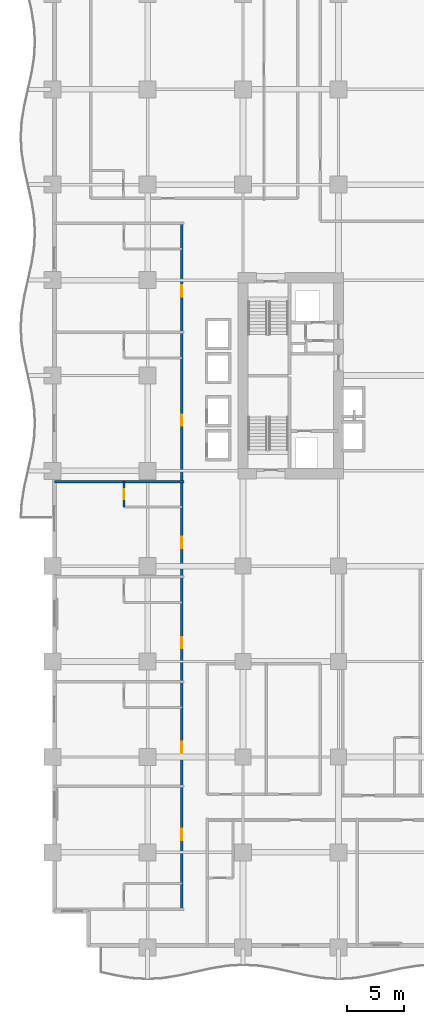
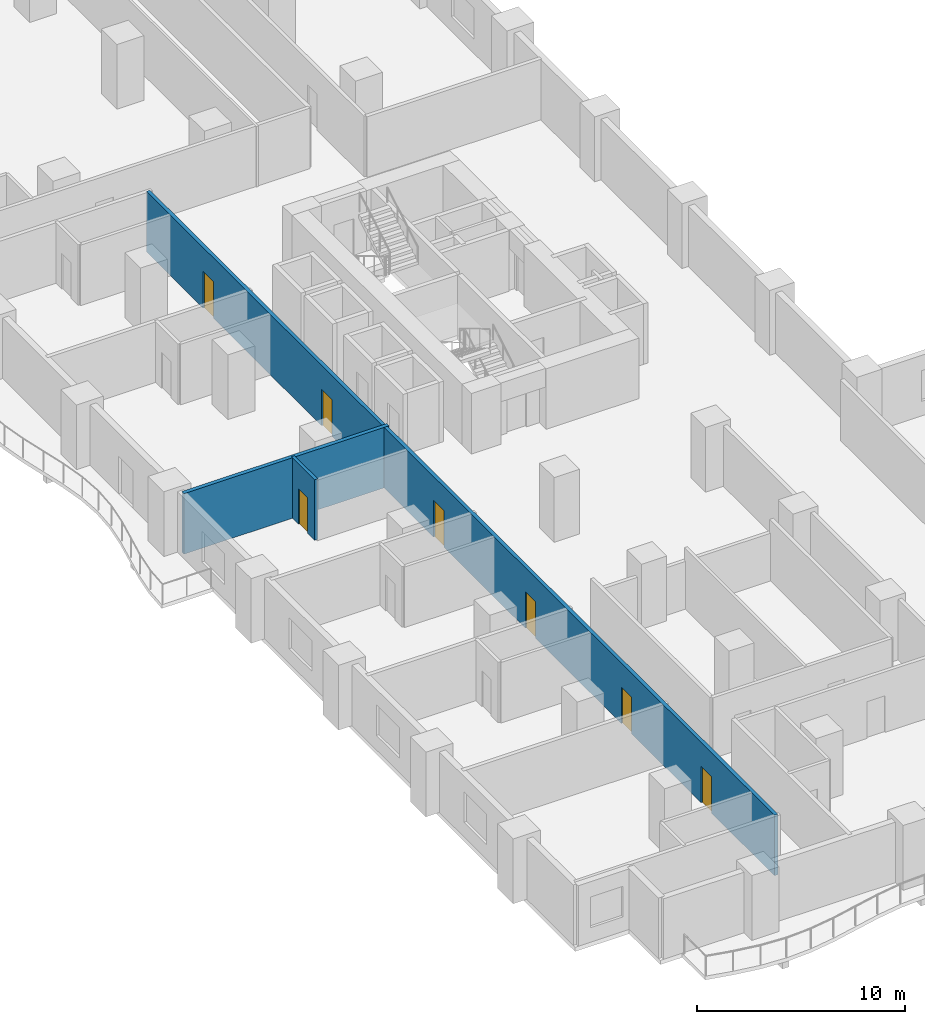
# One storey, part 11 of 24: 7 doors, 3 walls, 7 openings.
"""IFC4 building model written with IfcOpenShell, lengths in metres."""

from ifc_helpers import new_model, si_unit, direction, frame, frame_2d, origin, place, context, subcontext, project, spatial, rectangle, extrude, material, layer, layer_set, type_object, element, fill, save


model = new_model("IFC4")

# Units and contexts
model_context = context("Model", 3, precision=1e-05, world=origin(), true_north=direction((0.0, 1.0)))
body_context = subcontext(model_context, "Body", "Model", "MODEL_VIEW")
ifc_project = project(units=[si_unit("LENGTHUNIT", "METRE"), si_unit("AREAUNIT", "SQUARE_METRE"), si_unit("VOLUMEUNIT", "CUBIC_METRE"), si_unit("PLANEANGLEUNIT", "RADIAN"), si_unit("MASSUNIT", "GRAM", prefix="KILO")], contexts=[model_context])

# Site, building, storey
site_placement = place(None, origin())
site = spatial("IfcSite", under=ifc_project, at=site_placement, CompositionType="ELEMENT")
building_placement = place(site_placement, origin())
building = spatial("IfcBuilding", under=site, at=building_placement, Name="Koriwani Terraces Tower", CompositionType="ELEMENT")
storey_placement = place(building_placement, frame((0.0, 0.0, 47.199951171875)))
storey = spatial("IfcBuildingStorey", under=building, at=storey_placement, Name="L10", CompositionType="ELEMENT", Elevation=47.199951171875)

# Wall, openings, doors
ifc_material_1 = material(Name="Autoclaved Cellular Concrete Blockwork", Category="masonry")
ifc_layer_1 = layer(ifc_material_1, 0.199951171875, Name="Autoclaved Cellular Concrete Blockwork")
ifc_layer_set_1 = layer_set([ifc_layer_1], Name="Autoclaved Cellular Concrete Blockwork")
wall_type_1 = type_object("IfcWallType", Name="WALL_CORRIDOR_200", PredefinedType="PARTITIONING", material=ifc_layer_set_1)
wall_1_placement = place(storey_placement, frame((11.39990234375, 3.39990234375, 0.0), z_axis=(0.0, 0.0, 1.0), x_axis=(0.0, 1.0, 0.0)))
wall_1 = element("IfcWall", 1, at=wall_1_placement, inside=storey, type_object=wall_type_1, Name="L10 Interior Wall WCOR-L10-NW-0", PredefinedType="PARTITIONING", context=body_context, shape_type="SweptSolid", body=[
    extrude(rectangle(XDim=60.400146484375, YDim=0.199951171875, at=frame_2d((30.2001953125, 0.0))), origin(), (0.0, 0.0, 1.0), 3.550048828125),
])
opening_1_placement = place(wall_1_placement, frame((6.06494140625, 0.0, 0.0)))
opening_1 = element("IfcOpeningElement", 2, at=opening_1_placement, cuts=wall_1, Name="Opening D-05", PredefinedType="OPENING", context=body_context, shape_type="SweptSolid", body=[
    extrude(rectangle(XDim=1.0, YDim=2.14990234375, at=frame_2d((0.5, 1.074951171875))), frame((0.0, 0.10986328125, 0.0), z_axis=(0.0, -1.0, 0.0), x_axis=(1.0, 0.0, 0.0)), (0.0, 0.0, 1.0), 0.219970703125),
])
opening_2_placement = place(wall_1_placement, frame((13.735107421875, 0.0, 0.0)))
opening_2 = element("IfcOpeningElement", 3, at=opening_2_placement, cuts=wall_1, Name="Opening D-05", PredefinedType="OPENING", context=body_context, shape_type="SweptSolid", body=[
    extrude(rectangle(XDim=1.0, YDim=2.14990234375, at=frame_2d((0.5, 1.074951171875))), frame((0.0, 0.10986328125, 0.0), z_axis=(0.0, -1.0, 0.0), x_axis=(1.0, 0.0, 0.0)), (0.0, 0.0, 1.0), 0.219970703125),
])
opening_3_placement = place(wall_1_placement, frame((22.9599609375, 0.0, 0.0)))
opening_3 = element("IfcOpeningElement", 4, at=opening_3_placement, cuts=wall_1, Name="Opening D-05", PredefinedType="OPENING", context=body_context, shape_type="SweptSolid", body=[
    extrude(rectangle(XDim=1.0, YDim=2.14990234375, at=frame_2d((0.5, 1.074951171875))), frame((0.0, 0.10986328125, 0.0), z_axis=(0.0, -1.0, 0.0), x_axis=(1.0, 0.0, 0.0)), (0.0, 0.0, 1.0), 0.219970703125),
])
opening_4_placement = place(wall_1_placement, frame((31.784912109375, 0.0, 0.0)))
opening_4 = element("IfcOpeningElement", 5, at=opening_4_placement, cuts=wall_1, Name="Opening D-05", PredefinedType="OPENING", context=body_context, shape_type="SweptSolid", body=[
    extrude(rectangle(XDim=1.0, YDim=2.14990234375, at=frame_2d((0.5, 1.074951171875))), frame((0.0, 0.10986328125, 0.0), z_axis=(0.0, -1.0, 0.0), x_axis=(1.0, 0.0, 0.0)), (0.0, 0.0, 1.0), 0.219970703125),
])
opening_5_placement = place(wall_1_placement, frame((42.56005859375, 0.0, 0.0)))
opening_5 = element("IfcOpeningElement", 6, at=opening_5_placement, cuts=wall_1, Name="Opening D-05", PredefinedType="OPENING", context=body_context, shape_type="SweptSolid", body=[
    extrude(rectangle(XDim=1.0, YDim=2.14990234375, at=frame_2d((0.5, 1.074951171875))), frame((0.0, 0.10986328125, 0.0), z_axis=(0.0, -1.0, 0.0), x_axis=(1.0, 0.0, 0.0)), (0.0, 0.0, 1.0), 0.219970703125),
])
opening_6_placement = place(wall_1_placement, frame((53.93505859375, 0.0, 0.0)))
opening_6 = element("IfcOpeningElement", 7, at=opening_6_placement, cuts=wall_1, Name="Opening D-05", PredefinedType="OPENING", context=body_context, shape_type="SweptSolid", body=[
    extrude(rectangle(XDim=1.0, YDim=2.14990234375, at=frame_2d((0.5, 1.074951171875))), frame((0.0, 0.10986328125, 0.0), z_axis=(0.0, -1.0, 0.0), x_axis=(1.0, 0.0, 0.0)), (0.0, 0.0, 1.0), 0.219970703125),
])
ifc_material_2 = material(Name="Architectural Oak Fire Door", Category="wood")
door_type_1 = type_object("IfcDoorType", Name="DOOR_SUITE_ENTRY_1000X2150", OperationType="NOTDEFINED", PredefinedType="DOOR", material=ifc_material_2)
door_1_placement = place(opening_1_placement, origin())
door_1 = element("IfcDoor", 8, at=door_1_placement, inside=storey, type_object=door_type_1, Name="Luxury Hotel Suite 10NW1 Entrance Door", OperationType="SINGLE_SWING_RIGHT", OverallHeight=2.14990234375, OverallWidth=1.0, PredefinedType="DOOR", context=body_context, shape_type="SweptSolid", body=[
    extrude(rectangle(XDim=1.0, YDim=2.14990234375, at=frame_2d((0.5, 1.074951171875))), frame((0.0, 0.02490234375, 0.0), z_axis=(0.0, -1.0, 0.0), x_axis=(1.0, 0.0, 0.0)), (0.0, 0.0, 1.0), 0.050048828125),
])
fill(opening_1, door_1)
door_2_placement = place(opening_2_placement, origin())
door_2 = element("IfcDoor", 9, at=door_2_placement, inside=storey, type_object=door_type_1, Name="Luxury Hotel Suite 10NW2 Entrance Door", OperationType="SINGLE_SWING_RIGHT", OverallHeight=2.14990234375, OverallWidth=1.0, PredefinedType="DOOR", context=body_context, shape_type="SweptSolid", body=[
    extrude(rectangle(XDim=1.0, YDim=2.14990234375, at=frame_2d((0.5, 1.074951171875))), frame((0.0, 0.02490234375, 0.0), z_axis=(0.0, -1.0, 0.0), x_axis=(1.0, 0.0, 0.0)), (0.0, 0.0, 1.0), 0.050048828125),
])
fill(opening_2, door_2)
door_3_placement = place(opening_3_placement, origin())
door_3 = element("IfcDoor", 10, at=door_3_placement, inside=storey, type_object=door_type_1, Name="Luxury Hotel Suite 10NW3 Entrance Door", OperationType="SINGLE_SWING_RIGHT", OverallHeight=2.14990234375, OverallWidth=1.0, PredefinedType="DOOR", context=body_context, shape_type="SweptSolid", body=[
    extrude(rectangle(XDim=1.0, YDim=2.14990234375, at=frame_2d((0.5, 1.074951171875))), frame((0.0, 0.02490234375, 0.0), z_axis=(0.0, -1.0, 0.0), x_axis=(1.0, 0.0, 0.0)), (0.0, 0.0, 1.0), 0.050048828125),
])
fill(opening_3, door_3)
door_4_placement = place(opening_4_placement, origin())
door_4 = element("IfcDoor", 11, at=door_4_placement, inside=storey, type_object=door_type_1, Name="Luxury Hotel Suite 10NW4 Entrance Door", OperationType="SINGLE_SWING_RIGHT", OverallHeight=2.14990234375, OverallWidth=1.0, PredefinedType="DOOR", context=body_context, shape_type="SweptSolid", body=[
    extrude(rectangle(XDim=1.0, YDim=2.14990234375, at=frame_2d((0.5, 1.074951171875))), frame((0.0, 0.02490234375, 0.0), z_axis=(0.0, -1.0, 0.0), x_axis=(1.0, 0.0, 0.0)), (0.0, 0.0, 1.0), 0.050048828125),
])
fill(opening_4, door_4)
door_5_placement = place(opening_5_placement, origin())
door_5 = element("IfcDoor", 12, at=door_5_placement, inside=storey, type_object=door_type_1, Name="Luxury Hotel Suite 10NW5 Entrance Door", OperationType="SINGLE_SWING_RIGHT", OverallHeight=2.14990234375, OverallWidth=1.0, PredefinedType="DOOR", context=body_context, shape_type="SweptSolid", body=[
    extrude(rectangle(XDim=1.0, YDim=2.14990234375, at=frame_2d((0.5, 1.074951171875))), frame((0.0, 0.02490234375, 0.0), z_axis=(0.0, -1.0, 0.0), x_axis=(1.0, 0.0, 0.0)), (0.0, 0.0, 1.0), 0.050048828125),
])
fill(opening_5, door_5)
door_6_placement = place(opening_6_placement, origin())
door_6 = element("IfcDoor", 13, at=door_6_placement, inside=storey, type_object=door_type_1, Name="Luxury Hotel Suite 10NW6 Entrance Door", OperationType="SINGLE_SWING_RIGHT", OverallHeight=2.14990234375, OverallWidth=1.0, PredefinedType="DOOR", context=body_context, shape_type="SweptSolid", body=[
    extrude(rectangle(XDim=1.0, YDim=2.14990234375, at=frame_2d((0.5, 1.074951171875))), frame((0.0, 0.02490234375, 0.0), z_axis=(0.0, -1.0, 0.0), x_axis=(1.0, 0.0, 0.0)), (0.0, 0.0, 1.0), 0.050048828125),
])
fill(opening_6, door_6)

# Wall
ifc_layer_2 = layer(ifc_material_1, 0.219970703125, Name="Autoclaved Cellular Concrete Blockwork")
ifc_layer_set_2 = layer_set([ifc_layer_2], Name="Autoclaved Cellular Concrete Blockwork")
wall_type_2 = type_object("IfcWallType", Name="WALL_DEMISING_220", PredefinedType="PARTITIONING", material=ifc_layer_set_2)
wall_2_placement = place(storey_placement, frame((0.199951171875, 41.050048828125, 0.0), z_axis=(0.0, 0.0, 1.0), x_axis=(1.0, 0.0, 0.0)))
element("IfcWall", 14, at=wall_2_placement, inside=storey, type_object=wall_type_2, Name="L10 Interior Wall WDEM-L10-NW-4", PredefinedType="PARTITIONING", context=body_context, shape_type="SweptSolid", body=[
    extrude(rectangle(XDim=11.380126953125, YDim=0.219970703125, at=frame_2d((5.68994140625, 0.0))), origin(), (0.0, 0.0, 1.0), 3.550048828125),
])

# Wall, opening, door
ifc_material_3 = material(Name="Fire-Rated Acoustic Gypsum Partition", Category="masonry")
ifc_layer_3 = layer(ifc_material_3, 0.179931640625, Name="Fire-Rated Acoustic Gypsum Partition")
ifc_layer_set_3 = layer_set([ifc_layer_3], Name="Fire-Rated Acoustic Gypsum Partition")
wall_type_3 = type_object("IfcWallType", Name="WALL_PLUMBING_180", PredefinedType="PLUMBINGWALL", material=ifc_layer_set_3)
wall_3_placement = place(storey_placement, frame((6.300048828125, 38.800048828125, 0.0), z_axis=(0.0, 0.0, 1.0), x_axis=(0.0, 1.0, 0.0)))
wall_3 = element("IfcWall", 15, at=wall_3_placement, inside=storey, type_object=wall_type_3, Name="L10 Interior Wall WBTH1-L10-NW-3", PredefinedType="PLUMBINGWALL", context=body_context, shape_type="SweptSolid", body=[
    extrude(rectangle(XDim=2.25, YDim=0.179931640625, at=frame_2d((1.125, 0.0))), origin(), (0.0, 0.0, 1.0), 3.550048828125),
])
opening_7_placement = place(wall_3_placement, frame((0.675048828125, 0.0, 0.0)))
opening_7 = element("IfcOpeningElement", 16, at=opening_7_placement, cuts=wall_3, Name="Opening D-07", PredefinedType="OPENING", context=body_context, shape_type="SweptSolid", body=[
    extrude(rectangle(XDim=0.89990234375, YDim=2.10009765625, at=frame_2d((0.449951171875, 1.050048828125))), frame((0.0, 0.10009765625, 0.0), z_axis=(0.0, -1.0, 0.0), x_axis=(1.0, 0.0, 0.0)), (0.0, 0.0, 1.0), 0.199951171875),
])
door_type_2 = type_object("IfcDoorType", Name="DOOR_BATH_INT_900X2100", OperationType="NOTDEFINED", PredefinedType="DOOR", material=ifc_material_2)
door_7_placement = place(opening_7_placement, origin())
door_7 = element("IfcDoor", 17, at=door_7_placement, inside=storey, type_object=door_type_2, Name="En-Suite Bathroom 10NW4 Door", OperationType="SINGLE_SWING_LEFT", OverallHeight=2.10009765625, OverallWidth=0.89990234375, PredefinedType="DOOR", context=body_context, shape_type="SweptSolid", body=[
    extrude(rectangle(XDim=0.89990234375, YDim=2.10009765625, at=frame_2d((0.449951171875, 1.050048828125))), frame((0.0, 0.02490234375, 0.0), z_axis=(0.0, -1.0, 0.0), x_axis=(1.0, 0.0, 0.0)), (0.0, 0.0, 1.0), 0.050048828125),
])
fill(opening_7, door_7)

save(model, "model.ifc")
